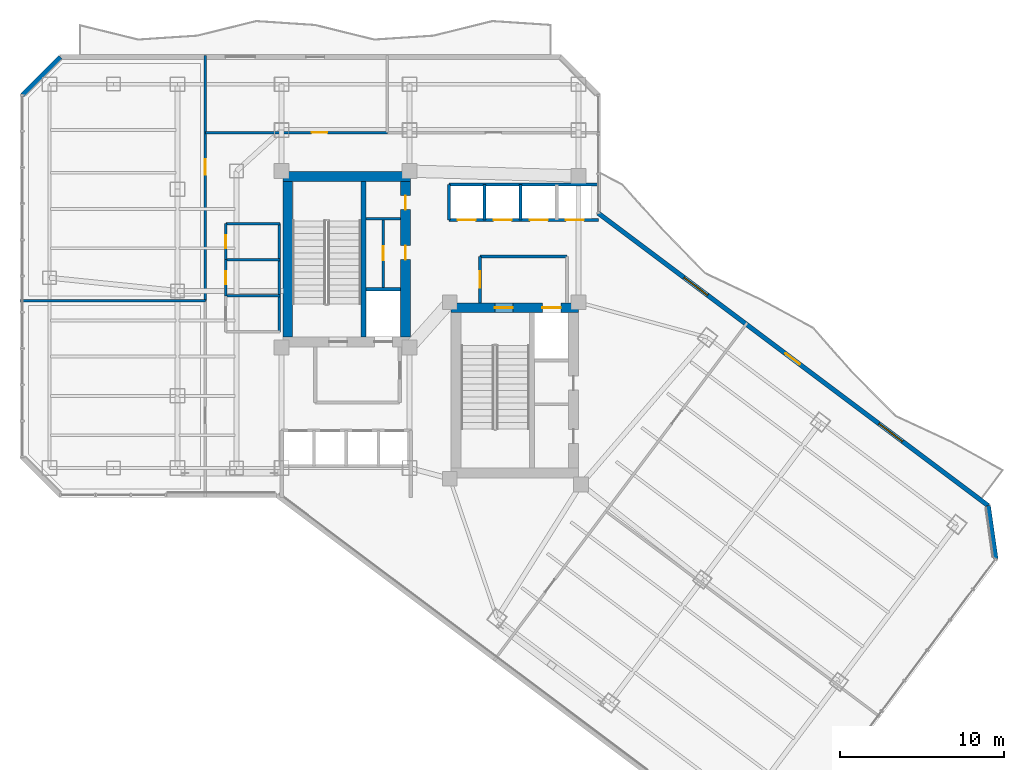
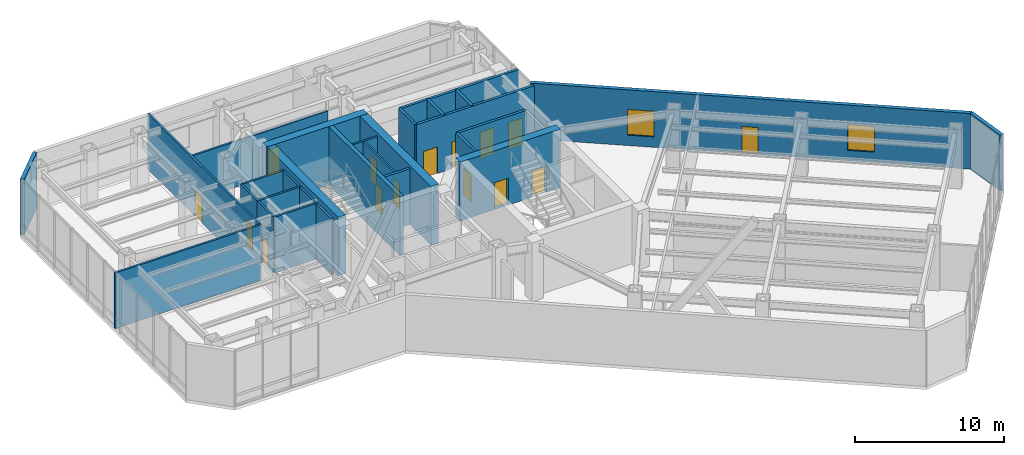
# One storey, part 21 of 27: 27 walls, 15 doors, 2 windows, 17 openings.
"""IFC4 building model written with IfcOpenShell, lengths in metres."""

from ifc_helpers import new_model, si_unit, direction, frame, frame_2d, origin, place, context, subcontext, project, spatial, rectangle, extrude, material, layer, layer_set, type_object, element, fill, save


model = new_model("IFC4")

# Units and contexts
model_context = context("Model", 3, precision=1e-05, world=origin(), true_north=direction((0.0, 1.0)))
body_context = subcontext(model_context, "Body", "Model", "MODEL_VIEW")
ifc_project = project(units=[si_unit("LENGTHUNIT", "METRE"), si_unit("AREAUNIT", "SQUARE_METRE"), si_unit("VOLUMEUNIT", "CUBIC_METRE"), si_unit("PLANEANGLEUNIT", "RADIAN"), si_unit("MASSUNIT", "GRAM", prefix="KILO")], contexts=[model_context])

# Site, building, storey
site_placement = place(None, origin())
site = spatial("IfcSite", under=ifc_project, at=site_placement, CompositionType="ELEMENT")
building_placement = place(site_placement, origin())
building = spatial("IfcBuilding", under=site, at=building_placement, Name="Hatsunagi Terrace Concourse", CompositionType="ELEMENT")
storey_placement = place(building_placement, frame((0.0, 0.0, 96.449951171875)))
storey = spatial("IfcBuildingStorey", under=building, at=storey_placement, Name="L25", CompositionType="ELEMENT", Elevation=96.449951171875)

# Walls
ifc_material_1 = material(Name="Concrete Fc48", Category="concrete")
ifc_layer_1 = layer(ifc_material_1, 0.60009765625)
ifc_layer_set_1 = layer_set([ifc_layer_1], Name="CoreShearWall_Fc48_600")
wall_type_1 = type_object("IfcWallType", Name="CoreShearWall_Fc48_600", PredefinedType="SHEAR", material=ifc_layer_set_1)
wall_1_placement = place(storey_placement, frame((25.6201171875, 42.969970703125, 0.0), z_axis=(0.0, 0.0, 1.0), x_axis=(1.0, 0.0, 0.0)))
element("IfcWall", 1, at=wall_1_placement, inside=storey, type_object=wall_type_1, Name="Core A Shear Wall N L25", PredefinedType="SHEAR", context=body_context, shape_type="SweptSolid", body=[
    extrude(rectangle(XDim=7.77978515625, YDim=0.60009765625, at=frame_2d((3.889892578125, 0.0))), origin(), (0.0, 0.0, 1.0), 4.800048828125),
])
wall_2_placement = place(storey_placement, frame((25.919921875, 33.18994140625, 0.0), z_axis=(0.0, 0.0, 1.0), x_axis=(0.0, 1.0, 0.0)))
element("IfcWall", 2, at=wall_2_placement, inside=storey, type_object=wall_type_1, Name="Core A Shear Wall W L25", PredefinedType="SHEAR", context=body_context, shape_type="SweptSolid", body=[
    extrude(rectangle(XDim=9.47998046875, YDim=0.60009765625, at=frame_2d((4.739990234375, 0.0))), origin(), (0.0, 0.0, 1.0), 4.800048828125),
])

# Wall, openings, doors
wall_3_placement = place(storey_placement, frame((33.10009765625, 33.18994140625, 0.0), z_axis=(0.0, 0.0, 1.0), x_axis=(0.0, 1.0, 0.0)))
wall_3 = element("IfcWall", 3, at=wall_3_placement, inside=storey, type_object=wall_type_1, Name="Core A Shear Wall E L25", PredefinedType="SHEAR", context=body_context, shape_type="SweptSolid", body=[
    extrude(rectangle(XDim=9.47998046875, YDim=0.60009765625, at=frame_2d((4.739990234375, 0.0))), origin(), (0.0, 0.0, 1.0), 4.800048828125),
])
opening_1_placement = place(wall_3_placement, frame((4.7099609375, 0.0, 0.0)))
opening_1 = element("IfcOpeningElement", 4, at=opening_1_placement, cuts=wall_3, Name="Opening DR-085", PredefinedType="OPENING", context=body_context, shape_type="SweptSolid", body=[
    extrude(rectangle(XDim=0.85009765625, YDim=2.080078125, at=frame_2d((0.425048828125, 1.0400390625))), frame((0.0, 0.31005859375, 0.0), z_axis=(0.0, -1.0, 0.0), x_axis=(1.0, 0.0, 0.0)), (0.0, 0.0, 1.0), 0.6201171875),
])
opening_2_placement = place(wall_3_placement, frame((7.760009765625, 0.0, 0.0)))
opening_2 = element("IfcOpeningElement", 5, at=opening_2_placement, cuts=wall_3, Name="Opening DR-085", PredefinedType="OPENING", context=body_context, shape_type="SweptSolid", body=[
    extrude(rectangle(XDim=0.85009765625, YDim=2.080078125, at=frame_2d((0.425048828125, 1.0400390625))), frame((0.0, 0.31005859375, 0.0), z_axis=(0.0, -1.0, 0.0), x_axis=(1.0, 0.0, 0.0)), (0.0, 0.0, 1.0), 0.6201171875),
])
ifc_material_2 = material(Name="Painted steel", Category="steel")
door_type_1 = type_object("IfcDoorType", Name="RiserAccessDoor_EI60_850", OperationType="NOTDEFINED", PredefinedType="DOOR", material=ifc_material_2)
door_1_placement = place(opening_1_placement, origin())
door_1 = element("IfcDoor", 6, at=door_1_placement, inside=storey, type_object=door_type_1, Name="Core A Riser Door L25-1", OperationType="SINGLE_SWING_LEFT", OverallHeight=2.080078125, OverallWidth=0.85009765625, PredefinedType="DOOR", context=body_context, shape_type="SweptSolid", body=[
    extrude(rectangle(XDim=0.85009765625, YDim=2.080078125, at=frame_2d((0.425048828125, 1.0400390625))), frame((0.0, 0.02490234375, 0.0), z_axis=(0.0, -1.0, 0.0), x_axis=(1.0, 0.0, 0.0)), (0.0, 0.0, 1.0), 0.050048828125),
])
fill(opening_1, door_1)
door_2_placement = place(opening_2_placement, origin())
door_2 = element("IfcDoor", 7, at=door_2_placement, inside=storey, type_object=door_type_1, Name="Core A Riser Door L25-2", OperationType="SINGLE_SWING_LEFT", OverallHeight=2.080078125, OverallWidth=0.85009765625, PredefinedType="DOOR", context=body_context, shape_type="SweptSolid", body=[
    extrude(rectangle(XDim=0.85009765625, YDim=2.080078125, at=frame_2d((0.425048828125, 1.0400390625))), frame((0.0, 0.02490234375, 0.0), z_axis=(0.0, -1.0, 0.0), x_axis=(1.0, 0.0, 0.0)), (0.0, 0.0, 1.0), 0.050048828125),
])
fill(opening_2, door_2)

wall_4_placement = place(storey_placement, frame((35.889892578125, 34.969970703125, 0.0), z_axis=(0.0, 0.0, 1.0), x_axis=(1.0, 0.0, 0.0)))
wall_4 = element("IfcWall", 8, at=wall_4_placement, inside=storey, type_object=wall_type_1, Name="Core B Shear Wall N L25", PredefinedType="SHEAR", context=body_context, shape_type="SweptSolid", body=[
    extrude(rectangle(XDim=7.760009765625, YDim=0.60009765625, at=frame_2d((3.8798828125, 0.0))), origin(), (0.0, 0.0, 1.0), 4.800048828125),
])
opening_3_placement = place(wall_4_placement, frame((2.659912109375, 0.0, 0.0)))
opening_3 = element("IfcOpeningElement", 9, at=opening_3_placement, cuts=wall_4, Name="Opening DR-110S", PredefinedType="OPENING", context=body_context, shape_type="SweptSolid", body=[
    extrude(rectangle(XDim=1.10009765625, YDim=2.199951171875, at=frame_2d((0.550048828125, 1.10009765625))), frame((0.0, 0.31005859375, 0.0), z_axis=(0.0, -1.0, 0.0), x_axis=(1.0, 0.0, 0.0)), (0.0, 0.0, 1.0), 0.6201171875),
])
opening_4_placement = place(wall_4_placement, frame((5.56005859375, 0.0, 0.0)))
opening_4 = element("IfcOpeningElement", 10, at=opening_4_placement, cuts=wall_4, Name="Opening LD-02", PredefinedType="OPENING", context=body_context, shape_type="SweptSolid", body=[
    extrude(rectangle(XDim=1.1201171875, YDim=2.14990234375, at=frame_2d((0.56005859375, 1.074951171875))), frame((0.0, 0.31005859375, 0.0), z_axis=(0.0, -1.0, 0.0), x_axis=(1.0, 0.0, 0.0)), (0.0, 0.0, 1.0), 0.6201171875),
])
ifc_material_3 = material(Name="Stainless steel", Category="steel")
door_type_2 = type_object("IfcDoorType", Name="LiftLandingDoor_LD02", OperationType="SLIDING_TO_RIGHT", PredefinedType="USERDEFINED", material=ifc_material_3)
door_3_placement = place(opening_4_placement, origin())
door_3 = element("IfcDoor", 11, at=door_3_placement, inside=storey, type_object=door_type_2, Name="Lift landing door FF-02 L25", ObjectType="SLIDING_LANDING_DOOR", OperationType="SLIDING_TO_RIGHT", OverallHeight=2.14990234375, OverallWidth=1.1201171875, PredefinedType="USERDEFINED", context=body_context, shape_type="SweptSolid", body=[
    extrude(rectangle(XDim=1.1201171875, YDim=2.14990234375, at=frame_2d((0.56005859375, 1.074951171875))), frame((0.0, 0.02490234375, 0.0), z_axis=(0.0, -1.0, 0.0), x_axis=(1.0, 0.0, 0.0)), (0.0, 0.0, 1.0), 0.050048828125),
])
fill(opening_4, door_3)
ifc_material_4 = material(Name="Painted steel", Category="steel")
door_type_3 = type_object("IfcDoorType", Name="StairFireDoor_EI60_1100", OperationType="NOTDEFINED", PredefinedType="DOOR", material=ifc_material_4)
door_4_placement = place(opening_3_placement, origin())
door_4 = element("IfcDoor", 12, at=door_4_placement, inside=storey, type_object=door_type_3, Name="Stair ST-B Exit Door L25", OperationType="SINGLE_SWING_RIGHT", OverallHeight=2.199951171875, OverallWidth=1.10009765625, PredefinedType="DOOR", context=body_context, shape_type="SweptSolid", body=[
    extrude(rectangle(XDim=1.10009765625, YDim=2.199951171875, at=frame_2d((0.550048828125, 1.10009765625))), frame((0.0, 0.02490234375, 0.0), z_axis=(0.0, -1.0, 0.0), x_axis=(1.0, 0.0, 0.0)), (0.0, 0.0, 1.0), 0.050048828125),
])
fill(opening_3, door_4)

# Wall
ifc_material_5 = material(Name="Concrete Fc48", Category="concrete")
ifc_layer_2 = layer(ifc_material_5, 0.300048828125)
ifc_layer_set_2 = layer_set([ifc_layer_2], Name="CoreStairDivider_Fc48_300")
wall_type_2 = type_object("IfcWallType", Name="CoreStairDivider_Fc48_300", PredefinedType="SHEAR", material=ifc_layer_set_2)
wall_5_placement = place(storey_placement, frame((30.5400390625, 33.18994140625, 0.0), z_axis=(0.0, 0.0, 1.0), x_axis=(0.0, 1.0, 0.0)))
element("IfcWall", 13, at=wall_5_placement, inside=storey, type_object=wall_type_2, Name="Core A Shear Wall D L25", PredefinedType="SHEAR", context=body_context, shape_type="SweptSolid", body=[
    extrude(rectangle(XDim=9.47998046875, YDim=0.300048828125, at=frame_2d((4.739990234375, 0.0))), origin(), (0.0, 0.0, 1.0), 4.800048828125),
])

# Wall, opening, door
ifc_material_6 = material(Name="Acoustic mineral board", Category="gypsum")
ifc_layer_3 = layer(ifc_material_6, 0.14990234375)
ifc_layer_set_3 = layer_set([ifc_layer_3], Name="PartitionWall_EI60_150")
wall_type_3 = type_object("IfcWallType", Name="PartitionWall_EI60_150", PredefinedType="PARTITIONING", material=ifc_layer_set_3)
wall_6_placement = place(storey_placement, frame((31.75, 36.179931640625, 0.0), z_axis=(0.0, 0.0, 1.0), x_axis=(0.0, 1.0, 0.0)))
wall_6 = element("IfcWall", 14, at=wall_6_placement, inside=storey, type_object=wall_type_3, Name="Interior Partition IW-L25-002", PredefinedType="PARTITIONING", context=body_context, shape_type="SweptSolid", body=[
    extrude(rectangle(XDim=4.239990234375, YDim=0.14990234375, at=frame_2d((2.1201171875, 0.0))), origin(), (0.0, 0.0, 1.0), 4.550048828125),
])
opening_5_placement = place(wall_6_placement, frame((1.695068359375, 0.0, 0.0)))
opening_5 = element("IfcOpeningElement", 15, at=opening_5_placement, cuts=wall_6, Name="Opening DR-085", PredefinedType="OPENING", context=body_context, shape_type="SweptSolid", body=[
    extrude(rectangle(XDim=0.85009765625, YDim=2.080078125, at=frame_2d((0.425048828125, 1.0400390625))), frame((0.0, 0.0849609375, 0.0), z_axis=(0.0, -1.0, 0.0), x_axis=(1.0, 0.0, 0.0)), (0.0, 0.0, 1.0), 0.169921875),
])
door_5_placement = place(opening_5_placement, origin())
door_5 = element("IfcDoor", 16, at=door_5_placement, inside=storey, type_object=door_type_1, Name="Core A Sub-Riser Door L25", OperationType="SINGLE_SWING_LEFT", OverallHeight=2.080078125, OverallWidth=0.85009765625, PredefinedType="DOOR", context=body_context, shape_type="SweptSolid", body=[
    extrude(rectangle(XDim=0.85009765625, YDim=2.080078125, at=frame_2d((0.425048828125, 1.0400390625))), frame((0.0, 0.02490234375, 0.0), z_axis=(0.0, -1.0, 0.0), x_axis=(1.0, 0.0, 0.0)), (0.0, 0.0, 1.0), 0.050048828125),
])
fill(opening_5, door_5)

# Walls
wall_7_placement = place(storey_placement, frame((30.699951171875, 40.39990234375, 0.0), z_axis=(0.0, 0.0, 1.0), x_axis=(1.0, 0.0, 0.0)))
element("IfcWall", 17, at=wall_7_placement, inside=storey, type_object=wall_type_3, Name="Interior Partition IW-L25-003", PredefinedType="PARTITIONING", context=body_context, shape_type="SweptSolid", body=[
    extrude(rectangle(XDim=2.10009765625, YDim=0.14990234375, at=frame_2d((1.050048828125, 0.0))), origin(), (0.0, 0.0, 1.0), 4.550048828125),
])
wall_8_placement = place(storey_placement, frame((22.14990234375, 40.10009765625, 0.0), z_axis=(0.0, 0.0, 1.0), x_axis=(1.0, 0.0, 0.0)))
element("IfcWall", 18, at=wall_8_placement, inside=storey, type_object=wall_type_3, Name="Interior Partition IW-L25-026", PredefinedType="PARTITIONING", context=body_context, shape_type="SweptSolid", body=[
    extrude(rectangle(XDim=3.300048828125, YDim=0.14990234375, at=frame_2d((1.64990234375, 0.0))), origin(), (0.0, 0.0, 1.0), 4.550048828125),
])
wall_9_placement = place(storey_placement, frame((25.39990234375, 33.5, 0.0), z_axis=(0.0, 0.0, 1.0), x_axis=(0.0, 1.0, 0.0)))
element("IfcWall", 19, at=wall_9_placement, inside=storey, type_object=wall_type_3, Name="Interior Partition IW-L25-027", PredefinedType="PARTITIONING", context=body_context, shape_type="SweptSolid", body=[
    extrude(rectangle(XDim=6.60009765625, YDim=0.14990234375, at=frame_2d((3.300048828125, 0.0))), origin(), (0.0, 0.0, 1.0), 4.550048828125),
])
for number, where, z_axis, x_axis, name in (
    (20, (22.14990234375, 35.699951171875, 0.0), (0.0, 0.0, 1.0), (1.0, 0.0, 0.0), "Interior Partition IW-L25-028"),
    (21, (22.14990234375, 37.89990234375, 0.0), (0.0, 0.0, 1.0), (1.0, 0.0, 0.0), "Interior Partition IW-L25-029"),
):
    element("IfcWall", number, at=place(storey_placement, frame(where, z_axis=z_axis, x_axis=x_axis)), inside=storey, type_object=wall_type_3, Name=name, PredefinedType="PARTITIONING", context=body_context, shape_type="SweptSolid", body=[
        extrude(rectangle(XDim=3.300048828125, YDim=0.14990234375, at=frame_2d((1.64990234375, 0.0))), origin(), (0.0, 0.0, 1.0), 4.550048828125),
    ])

# Wall, opening, door
wall_10_placement = place(storey_placement, frame((22.14990234375, 35.699951171875, 0.0), z_axis=(0.0, 0.0, 1.0), x_axis=(0.0, 1.0, 0.0)))
wall_10 = element("IfcWall", 22, at=wall_10_placement, inside=storey, type_object=wall_type_3, Name="Interior Partition IW-L25-031", PredefinedType="PARTITIONING", context=body_context, shape_type="SweptSolid", body=[
    extrude(rectangle(XDim=2.199951171875, YDim=0.14990234375, at=frame_2d((1.10009765625, 0.0))), origin(), (0.0, 0.0, 1.0), 4.550048828125),
])
opening_6_placement = place(wall_10_placement, frame((0.699951171875, 0.0, 0.0)))
opening_6 = element("IfcOpeningElement", 23, at=opening_6_placement, cuts=wall_10, Name="Opening DR-080", PredefinedType="OPENING", context=body_context, shape_type="SweptSolid", body=[
    extrude(rectangle(XDim=0.800048828125, YDim=2.06005859375, at=frame_2d((0.39990234375, 1.030029296875))), frame((0.0, 0.0849609375, 0.0), z_axis=(0.0, -1.0, 0.0), x_axis=(1.0, 0.0, 0.0)), (0.0, 0.0, 1.0), 0.169921875),
])
ifc_material_7 = material(Name="Hardwood timber", Category="wood")
door_type_4 = type_object("IfcDoorType", Name="BathroomDoor_800", OperationType="NOTDEFINED", PredefinedType="DOOR", material=ifc_material_7)
door_6_placement = place(opening_6_placement, origin())
door_6 = element("IfcDoor", 24, at=door_6_placement, inside=storey, type_object=door_type_4, Name="Female Restroom Door L25", OperationType="SINGLE_SWING_RIGHT", OverallHeight=2.06005859375, OverallWidth=0.800048828125, PredefinedType="DOOR", context=body_context, shape_type="SweptSolid", body=[
    extrude(rectangle(XDim=0.800048828125, YDim=2.06005859375, at=frame_2d((0.39990234375, 1.030029296875))), frame((0.0, 0.02490234375, 0.0), z_axis=(0.0, -1.0, 0.0), x_axis=(1.0, 0.0, 0.0)), (0.0, 0.0, 1.0), 0.050048828125),
])
fill(opening_6, door_6)

wall_11_placement = place(storey_placement, frame((22.14990234375, 37.89990234375, 0.0), z_axis=(0.0, 0.0, 1.0), x_axis=(0.0, 1.0, 0.0)))
wall_11 = element("IfcWall", 25, at=wall_11_placement, inside=storey, type_object=wall_type_3, Name="Interior Partition IW-L25-032", PredefinedType="PARTITIONING", context=body_context, shape_type="SweptSolid", body=[
    extrude(rectangle(XDim=2.2001953125, YDim=0.14990234375, at=frame_2d((1.10009765625, 0.0))), origin(), (0.0, 0.0, 1.0), 4.550048828125),
])
opening_7_placement = place(wall_11_placement, frame((0.699951171875, 0.0, 0.0)))
opening_7 = element("IfcOpeningElement", 26, at=opening_7_placement, cuts=wall_11, Name="Opening DR-080", PredefinedType="OPENING", context=body_context, shape_type="SweptSolid", body=[
    extrude(rectangle(XDim=0.800048828125, YDim=2.06005859375, at=frame_2d((0.39990234375, 1.030029296875))), frame((0.0, 0.0849609375, 0.0), z_axis=(0.0, -1.0, 0.0), x_axis=(1.0, 0.0, 0.0)), (0.0, 0.0, 1.0), 0.169921875),
])
door_7_placement = place(opening_7_placement, origin())
door_7 = element("IfcDoor", 27, at=door_7_placement, inside=storey, type_object=door_type_4, Name="Male Restroom Door L25", OperationType="SINGLE_SWING_RIGHT", OverallHeight=2.06005859375, OverallWidth=0.800048828125, PredefinedType="DOOR", context=body_context, shape_type="SweptSolid", body=[
    extrude(rectangle(XDim=0.800048828125, YDim=2.06005859375, at=frame_2d((0.39990234375, 1.030029296875))), frame((0.0, 0.02490234375, 0.0), z_axis=(0.0, -1.0, 0.0), x_axis=(1.0, 0.0, 0.0)), (0.0, 0.0, 1.0), 0.050048828125),
])
fill(opening_7, door_7)

# Wall
wall_12_placement = place(storey_placement, frame((9.639892578125, 35.39990234375, 0.0), z_axis=(0.0, 0.0, 1.0), x_axis=(1.0, 0.0, 0.0)))
element("IfcWall", 28, at=wall_12_placement, inside=storey, type_object=wall_type_3, Name="Interior Partition IW-L25-033", PredefinedType="PARTITIONING", context=body_context, shape_type="SweptSolid", body=[
    extrude(rectangle(XDim=11.260009765625, YDim=0.14990234375, at=frame_2d((5.6298828125, 0.0))), origin(), (0.0, 0.0, 1.0), 4.550048828125),
])

# Wall, opening, door
wall_13_placement = place(storey_placement, frame((20.89990234375, 35.39990234375, 0.0), z_axis=(0.0, 0.0, 1.0), x_axis=(0.0, 1.0, 0.0)))
wall_13 = element("IfcWall", 29, at=wall_13_placement, inside=storey, type_object=wall_type_3, Name="Interior Partition IW-L25-035", PredefinedType="PARTITIONING", context=body_context, shape_type="SweptSolid", body=[
    extrude(rectangle(XDim=14.960205078125, YDim=0.14990234375, at=frame_2d((7.47998046875, 0.0))), origin(), (0.0, 0.0, 1.0), 4.550048828125),
])
opening_8_placement = place(wall_13_placement, frame((7.6669921875, 0.0, 0.0)))
opening_8 = element("IfcOpeningElement", 30, at=opening_8_placement, cuts=wall_13, Name="Opening DR-095", PredefinedType="OPENING", context=body_context, shape_type="SweptSolid", body=[
    extrude(rectangle(XDim=0.949951171875, YDim=2.14990234375, at=frame_2d((0.47509765625, 1.074951171875))), frame((0.0, 0.0849609375, 0.0), z_axis=(0.0, -1.0, 0.0), x_axis=(1.0, 0.0, 0.0)), (0.0, 0.0, 1.0), 0.169921875),
])
ifc_material_8 = material(Name="Hardwood timber", Category="wood")
door_type_5 = type_object("IfcDoorType", Name="InteriorSuiteDoor_EI30_950", OperationType="NOTDEFINED", PredefinedType="DOOR", material=ifc_material_8)
door_8_placement = place(opening_8_placement, origin())
door_8 = element("IfcDoor", 31, at=door_8_placement, inside=storey, type_object=door_type_5, Name="Open Plan Office L25-OW2 Door", OperationType="SINGLE_SWING_LEFT", OverallHeight=2.14990234375, OverallWidth=0.949951171875, PredefinedType="DOOR", context=body_context, shape_type="SweptSolid", body=[
    extrude(rectangle(XDim=0.949951171875, YDim=2.14990234375, at=frame_2d((0.47509765625, 1.074951171875))), frame((0.0, 0.02490234375, 0.0), z_axis=(0.0, -1.0, 0.0), x_axis=(1.0, 0.0, 0.0)), (0.0, 0.0, 1.0), 0.050048828125),
])
fill(opening_8, door_8)

wall_14_placement = place(storey_placement, frame((20.89990234375, 45.64990234375, 0.0), z_axis=(0.0, 0.0, 1.0), x_axis=(1.0, 0.0, 0.0)))
wall_14 = element("IfcWall", 32, at=wall_14_placement, inside=storey, type_object=wall_type_3, Name="Interior Partition IW-L25-036", PredefinedType="PARTITIONING", context=body_context, shape_type="SweptSolid", body=[
    extrude(rectangle(XDim=11.10009765625, YDim=0.14990234375, at=frame_2d((5.550048828125, 0.0))), origin(), (0.0, 0.0, 1.0), 3.7451171875),
])
opening_9_placement = place(wall_14_placement, frame((6.48388671875, 0.0, 0.0)))
opening_9 = element("IfcOpeningElement", 33, at=opening_9_placement, cuts=wall_14, Name="Opening DR-095", PredefinedType="OPENING", context=body_context, shape_type="SweptSolid", body=[
    extrude(rectangle(XDim=0.949951171875, YDim=2.14990234375, at=frame_2d((0.47509765625, 1.074951171875))), frame((0.0, 0.0849609375, 0.0), z_axis=(0.0, -1.0, 0.0), x_axis=(1.0, 0.0, 0.0)), (0.0, 0.0, 1.0), 0.169921875),
])
door_9_placement = place(opening_9_placement, origin())
door_9 = element("IfcDoor", 34, at=door_9_placement, inside=storey, type_object=door_type_5, Name="Boardroom L25-ON1 Door", OperationType="SINGLE_SWING_RIGHT", OverallHeight=2.14990234375, OverallWidth=0.949951171875, PredefinedType="DOOR", context=body_context, shape_type="SweptSolid", body=[
    extrude(rectangle(XDim=0.949951171875, YDim=2.14990234375, at=frame_2d((0.47509765625, 1.074951171875))), frame((0.0, 0.02490234375, 0.0), z_axis=(0.0, -1.0, 0.0), x_axis=(1.0, 0.0, 0.0)), (0.0, 0.0, 1.0), 0.050048828125),
])
fill(opening_9, door_9)

# Walls
ifc_material_9 = material(Name="Acoustic mineral board", Category="gypsum")
ifc_layer_4 = layer(ifc_material_9, 0.199951171875)
ifc_layer_set_4 = layer_set([ifc_layer_4], Name="ShaftWall_EI120_200")
wall_type_4 = type_object("IfcWallType", Name="ShaftWall_EI120_200", PredefinedType="STANDARD", material=ifc_layer_set_4)
wall_15_placement = place(storey_placement, frame((30.699951171875, 36.10009765625, 0.0), z_axis=(0.0, 0.0, 1.0), x_axis=(1.0, 0.0, 0.0)))
element("IfcWall", 35, at=wall_15_placement, inside=storey, type_object=wall_type_4, Name="Interior Partition IW-L25-001", PredefinedType="STANDARD", context=body_context, shape_type="SweptSolid", body=[
    extrude(rectangle(XDim=2.10009765625, YDim=0.199951171875, at=frame_2d((1.050048828125, 0.0))), origin(), (0.0, 0.0, 1.0), 4.550048828125),
])
wall_16_placement = place(storey_placement, frame((37.64990234375, 38.10009765625, 0.0), z_axis=(0.0, 0.0, 1.0), x_axis=(1.0, 0.0, 0.0)))
element("IfcWall", 36, at=wall_16_placement, inside=storey, type_object=wall_type_4, Name="Interior Partition IW-L25-009", PredefinedType="STANDARD", context=body_context, shape_type="SweptSolid", body=[
    extrude(rectangle(XDim=5.300048828125, YDim=0.199951171875, at=frame_2d((2.64990234375, 0.0))), origin(), (0.0, 0.0, 1.0), 4.550048828125),
])

# Wall, opening, door
wall_17_placement = place(storey_placement, frame((37.64990234375, 35.27001953125, 0.0), z_axis=(0.0, 0.0, 1.0), x_axis=(0.0, 1.0, 0.0)))
wall_17 = element("IfcWall", 37, at=wall_17_placement, inside=storey, type_object=wall_type_4, Name="Interior Partition IW-L25-011", PredefinedType="STANDARD", context=body_context, shape_type="SweptSolid", body=[
    extrude(rectangle(XDim=2.830078125, YDim=0.199951171875, at=frame_2d((1.4150390625, 0.0))), origin(), (0.0, 0.0, 1.0), 4.550048828125),
])
opening_10_placement = place(wall_17_placement, frame((0.9150390625, 0.0, 0.0)))
opening_10 = element("IfcOpeningElement", 38, at=opening_10_placement, cuts=wall_17, Name="Opening DR-100F", PredefinedType="OPENING", context=body_context, shape_type="SweptSolid", body=[
    extrude(rectangle(XDim=1.0, YDim=2.199951171875, at=frame_2d((0.5, 1.10009765625))), frame((0.0, 0.10986328125, 0.0), z_axis=(0.0, -1.0, 0.0), x_axis=(1.0, 0.0, 0.0)), (0.0, 0.0, 1.0), 0.219970703125),
])
ifc_material_10 = material(Name="Painted steel", Category="steel")
door_type_6 = type_object("IfcDoorType", Name="FireDoor_EI60_1000", OperationType="NOTDEFINED", PredefinedType="DOOR", material=ifc_material_10)
door_10_placement = place(opening_10_placement, origin())
door_10 = element("IfcDoor", 39, at=door_10_placement, inside=storey, type_object=door_type_6, Name="Firefighting Lobby B Door L25", OperationType="SINGLE_SWING_RIGHT", OverallHeight=2.199951171875, OverallWidth=1.0, PredefinedType="DOOR", context=body_context, shape_type="SweptSolid", body=[
    extrude(rectangle(XDim=1.0, YDim=2.199951171875, at=frame_2d((0.5, 1.10009765625))), frame((0.0, 0.02490234375, 0.0), z_axis=(0.0, -1.0, 0.0), x_axis=(1.0, 0.0, 0.0)), (0.0, 0.0, 1.0), 0.050048828125),
])
fill(opening_10, door_10)

# Walls
wall_18_placement = place(storey_placement, frame((35.75, 42.47998046875, 0.0), z_axis=(0.0, 0.0, 1.0), x_axis=(1.0, 0.0, 0.0)))
element("IfcWall", 40, at=wall_18_placement, inside=storey, type_object=wall_type_4, Name="Interior Partition IW-L25-019", PredefinedType="STANDARD", context=body_context, shape_type="SweptSolid", body=[
    extrude(rectangle(XDim=9.110107421875, YDim=0.199951171875, at=frame_2d((4.55517578125, 0.0))), origin(), (0.0, 0.0, 1.0), 4.550048828125),
])
for number, where, z_axis, x_axis, name in (
    (41, (35.75, 40.320068359375, 0.0), (0.0, 0.0, 1.0), (0.0, 1.0, 0.0), "Interior Partition IW-L25-020"),
    (42, (37.919921875, 40.320068359375, 0.0), (0.0, 0.0, 1.0), (0.0, 1.0, 0.0), "Interior Partition IW-L25-021"),
    (43, (40.1201171875, 40.320068359375, 0.0), (0.0, 0.0, 1.0), (0.0, 1.0, 0.0), "Interior Partition IW-L25-022"),
):
    element("IfcWall", number, at=place(storey_placement, frame(where, z_axis=z_axis, x_axis=x_axis)), inside=storey, type_object=wall_type_4, Name=name, PredefinedType="STANDARD", context=body_context, shape_type="SweptSolid", body=[
        extrude(rectangle(XDim=2.159912109375, YDim=0.199951171875, at=frame_2d((1.080078125, 0.0))), origin(), (0.0, 0.0, 1.0), 4.550048828125),
    ])

# Wall, openings, doors
wall_19_placement = place(storey_placement, frame((35.75, 40.320068359375, 0.0), z_axis=(0.0, 0.0, 1.0), x_axis=(1.0, 0.0, 0.0)))
wall_19 = element("IfcWall", 44, at=wall_19_placement, inside=storey, type_object=wall_type_4, Name="Interior Partition IW-L25-024", PredefinedType="STANDARD", context=body_context, shape_type="SweptSolid", body=[
    extrude(rectangle(XDim=9.110107421875, YDim=0.199951171875, at=frame_2d((4.55517578125, 0.0))), origin(), (0.0, 0.0, 1.0), 4.550048828125),
])
opening_11_placement = place(wall_19_placement, frame((0.530029296875, 0.0, 0.0)))
opening_11 = element("IfcOpeningElement", 45, at=opening_11_placement, cuts=wall_19, Name="Opening LD-04", PredefinedType="OPENING", context=body_context, shape_type="SweptSolid", body=[
    extrude(rectangle(XDim=1.10009765625, YDim=2.179931640625, at=frame_2d((0.550048828125, 1.08984375))), frame((0.0, 0.10986328125, 0.0), z_axis=(0.0, -1.0, 0.0), x_axis=(1.0, 0.0, 0.0)), (0.0, 0.0, 1.0), 0.219970703125),
])
opening_12_placement = place(wall_19_placement, frame((2.72998046875, 0.0, 0.0)))
opening_12 = element("IfcOpeningElement", 46, at=opening_12_placement, cuts=wall_19, Name="Opening LD-04", PredefinedType="OPENING", context=body_context, shape_type="SweptSolid", body=[
    extrude(rectangle(XDim=1.10009765625, YDim=2.179931640625, at=frame_2d((0.550048828125, 1.08984375))), frame((0.0, 0.10986328125, 0.0), z_axis=(0.0, -1.0, 0.0), x_axis=(1.0, 0.0, 0.0)), (0.0, 0.0, 1.0), 0.219970703125),
])
opening_13_placement = place(wall_19_placement, frame((4.929931640625, 0.0, 0.0)))
opening_13 = element("IfcOpeningElement", 47, at=opening_13_placement, cuts=wall_19, Name="Opening LD-04", PredefinedType="OPENING", context=body_context, shape_type="SweptSolid", body=[
    extrude(rectangle(XDim=1.10009765625, YDim=2.179931640625, at=frame_2d((0.550048828125, 1.08984375))), frame((0.0, 0.10986328125, 0.0), z_axis=(0.0, -1.0, 0.0), x_axis=(1.0, 0.0, 0.0)), (0.0, 0.0, 1.0), 0.219970703125),
])
opening_14_placement = place(wall_19_placement, frame((7.1298828125, 0.0, 0.0)))
opening_14 = element("IfcOpeningElement", 48, at=opening_14_placement, cuts=wall_19, Name="Opening LD-04", PredefinedType="OPENING", context=body_context, shape_type="SweptSolid", body=[
    extrude(rectangle(XDim=1.10009765625, YDim=2.179931640625, at=frame_2d((0.550048828125, 1.08984375))), frame((0.0, 0.10986328125, 0.0), z_axis=(0.0, -1.0, 0.0), x_axis=(1.0, 0.0, 0.0)), (0.0, 0.0, 1.0), 0.219970703125),
])
ifc_material_11 = material(Name="Stainless steel", Category="steel")
door_type_7 = type_object("IfcDoorType", Name="LiftLandingDoor_LD04", OperationType="SLIDING_TO_RIGHT", PredefinedType="USERDEFINED", material=ifc_material_11)
door_11_placement = place(opening_11_placement, origin())
door_11 = element("IfcDoor", 49, at=door_11_placement, inside=storey, type_object=door_type_7, Name="Lift landing door PL-05 L25", ObjectType="SLIDING_LANDING_DOOR", OperationType="SLIDING_TO_RIGHT", OverallHeight=2.179931640625, OverallWidth=1.10009765625, PredefinedType="USERDEFINED", context=body_context, shape_type="SweptSolid", body=[
    extrude(rectangle(XDim=1.10009765625, YDim=2.179931640625, at=frame_2d((0.550048828125, 1.08984375))), frame((0.0, 0.02490234375, 0.0), z_axis=(0.0, -1.0, 0.0), x_axis=(1.0, 0.0, 0.0)), (0.0, 0.0, 1.0), 0.050048828125),
])
fill(opening_11, door_11)
door_12_placement = place(opening_12_placement, origin())
door_12 = element("IfcDoor", 50, at=door_12_placement, inside=storey, type_object=door_type_7, Name="Lift landing door PL-06 L25", ObjectType="SLIDING_LANDING_DOOR", OperationType="SLIDING_TO_RIGHT", OverallHeight=2.179931640625, OverallWidth=1.10009765625, PredefinedType="USERDEFINED", context=body_context, shape_type="SweptSolid", body=[
    extrude(rectangle(XDim=1.10009765625, YDim=2.179931640625, at=frame_2d((0.550048828125, 1.08984375))), frame((0.0, 0.02490234375, 0.0), z_axis=(0.0, -1.0, 0.0), x_axis=(1.0, 0.0, 0.0)), (0.0, 0.0, 1.0), 0.050048828125),
])
fill(opening_12, door_12)
door_13_placement = place(opening_13_placement, origin())
door_13 = element("IfcDoor", 51, at=door_13_placement, inside=storey, type_object=door_type_7, Name="Lift landing door PL-07 L25", ObjectType="SLIDING_LANDING_DOOR", OperationType="SLIDING_TO_RIGHT", OverallHeight=2.179931640625, OverallWidth=1.10009765625, PredefinedType="USERDEFINED", context=body_context, shape_type="SweptSolid", body=[
    extrude(rectangle(XDim=1.10009765625, YDim=2.179931640625, at=frame_2d((0.550048828125, 1.08984375))), frame((0.0, 0.02490234375, 0.0), z_axis=(0.0, -1.0, 0.0), x_axis=(1.0, 0.0, 0.0)), (0.0, 0.0, 1.0), 0.050048828125),
])
fill(opening_13, door_13)
door_14_placement = place(opening_14_placement, origin())
door_14 = element("IfcDoor", 52, at=door_14_placement, inside=storey, type_object=door_type_7, Name="Lift landing door PL-08 L25", ObjectType="SLIDING_LANDING_DOOR", OperationType="SLIDING_TO_RIGHT", OverallHeight=2.179931640625, OverallWidth=1.10009765625, PredefinedType="USERDEFINED", context=body_context, shape_type="SweptSolid", body=[
    extrude(rectangle(XDim=1.10009765625, YDim=2.179931640625, at=frame_2d((0.550048828125, 1.08984375))), frame((0.0, 0.02490234375, 0.0), z_axis=(0.0, -1.0, 0.0), x_axis=(1.0, 0.0, 0.0)), (0.0, 0.0, 1.0), 0.050048828125),
])
fill(opening_14, door_14)

# Wall, openings, door, windows
ifc_material_12 = material(Name="Autoclaved Lightweight Concrete and Terracotta Cladding", Category="masonry")
ifc_layer_5 = layer(ifc_material_12, 0.280029296875)
ifc_layer_set_5 = layer_set([ifc_layer_5], Name="TerracottaSpandrelWall_280")
wall_type_5 = type_object("IfcWallType", Name="TerracottaSpandrelWall_280", PredefinedType="STANDARD", material=ifc_layer_set_5)
wall_20_placement = place(storey_placement, frame((44.860107421875, 40.72998046875, 0.0), z_axis=(0.0, 0.0, 1.0), x_axis=(0.800006902154, -0.599990797017, 0.0)))
wall_20 = element("IfcWall", 53, at=wall_20_placement, inside=storey, type_object=wall_type_5, Name="Exterior Spandrel Wall EW-L25-01", PredefinedType="STANDARD", context=body_context, shape_type="SweptSolid", body=[
    extrude(rectangle(XDim=29.7119140625, YDim=0.280029296875, at=frame_2d((14.85595703125, 0.0))), origin(), (0.0, 0.0, 1.0), 4.550048828125),
])
opening_15_placement = place(wall_20_placement, frame((14.2490234375, 0.0, 0.0)))
opening_15 = element("IfcOpeningElement", 54, at=opening_15_placement, cuts=wall_20, Name="Opening BD-01", PredefinedType="OPENING", context=body_context, shape_type="SweptSolid", body=[
    extrude(rectangle(XDim=1.10009765625, YDim=2.199951171875, at=frame_2d((0.550048828125, 1.10009765625))), frame((0.0, 0.14990234375, 0.0), z_axis=(0.0, -1.0, 0.0), x_axis=(1.0, 0.0, 0.0)), (0.0, 0.0, 1.0), 0.300048828125),
])
opening_16_placement = place(wall_20_placement, frame((6.528076171875, 0.0, 0.85009765625)))
opening_16 = element("IfcOpeningElement", 55, at=opening_16_placement, cuts=wall_20, Name="Opening WIN-03", PredefinedType="OPENING", context=body_context, shape_type="SweptSolid", body=[
    extrude(rectangle(XDim=1.800048828125, YDim=2.10009765625, at=frame_2d((0.89990234375, 1.050048828125))), frame((0.0, 0.14990234375, 0.0), z_axis=(0.0, -1.0, 0.0), x_axis=(1.0, 0.0, 0.0)), (0.0, 0.0, 1.0), 0.300048828125),
])
opening_17_placement = place(wall_20_placement, frame((21.384033203125, 0.0, 0.85009765625)))
opening_17 = element("IfcOpeningElement", 56, at=opening_17_placement, cuts=wall_20, Name="Opening WIN-03", PredefinedType="OPENING", context=body_context, shape_type="SweptSolid", body=[
    extrude(rectangle(XDim=1.800048828125, YDim=2.10009765625, at=frame_2d((0.89990234375, 1.050048828125))), frame((0.0, 0.14990234375, 0.0), z_axis=(0.0, -1.0, 0.0), x_axis=(1.0, 0.0, 0.0)), (0.0, 0.0, 1.0), 0.300048828125),
])
ifc_material_13 = material(Name="Galvanised Steel and Laminated Safety Glass", Category="steel")
door_type_8 = type_object("IfcDoorType", Name="BalconyTerraceAccessDoor_1100x2200", OperationType="SINGLE_SWING_LEFT", PredefinedType="DOOR", material=ifc_material_13)
door_15_placement = place(opening_15_placement, origin())
door_15 = element("IfcDoor", 57, at=door_15_placement, inside=storey, type_object=door_type_8, Name="Engawa Balcony Door L25-BSE", OperationType="SINGLE_SWING_LEFT", OverallHeight=2.199951171875, OverallWidth=1.10009765625, PredefinedType="DOOR", context=body_context, shape_type="SweptSolid", body=[
    extrude(rectangle(XDim=1.10009765625, YDim=2.199951171875, at=frame_2d((0.550048828125, 1.10009765625))), frame((0.0, 0.02490234375, 0.0), z_axis=(0.0, -1.0, 0.0), x_axis=(1.0, 0.0, 0.0)), (0.0, 0.0, 1.0), 0.050048828125),
])
fill(opening_15, door_15)
ifc_material_14 = material(Name="Thermally Broken Aluminium and Low-E Triple Glazing", Category="aluminium")
window_type = type_object("IfcWindowType", Name="OfficeCornerFeatureWindow_1800x2100", PartitioningType="SINGLE_PANEL", PredefinedType="WINDOW", material=ifc_material_14)
window_1_placement = place(opening_16_placement, origin())
window_1 = element("IfcWindow", 58, at=window_1_placement, inside=storey, type_object=window_type, Name="Balcony Daylighting Window L25-01-1", OverallHeight=2.10009765625, OverallWidth=1.800048828125, PartitioningType="SINGLE_PANEL", PredefinedType="WINDOW", context=body_context, shape_type="SweptSolid", body=[
    extrude(rectangle(XDim=1.800048828125, YDim=2.10009765625, at=frame_2d((0.89990234375, 1.050048828125))), frame((0.0, 0.030029296875, 0.0), z_axis=(0.0, -1.0, 0.0), x_axis=(1.0, 0.0, 0.0)), (0.0, 0.0, 1.0), 0.06005859375),
])
fill(opening_16, window_1)
window_2_placement = place(opening_17_placement, origin())
window_2 = element("IfcWindow", 59, at=window_2_placement, inside=storey, type_object=window_type, Name="Balcony Daylighting Window L25-01-2", OverallHeight=2.10009765625, OverallWidth=1.800048828125, PartitioningType="SINGLE_PANEL", PredefinedType="WINDOW", context=body_context, shape_type="SweptSolid", body=[
    extrude(rectangle(XDim=1.800048828125, YDim=2.10009765625, at=frame_2d((0.89990234375, 1.050048828125))), frame((0.0, 0.030029296875, 0.0), z_axis=(0.0, -1.0, 0.0), x_axis=(1.0, 0.0, 0.0)), (0.0, 0.0, 1.0), 0.06005859375),
])
fill(opening_17, window_2)

# Walls
wall_21_placement = place(storey_placement, frame((68.6298828125, 22.903076171875, 0.0), z_axis=(0.0, 0.0, 1.0), x_axis=(0.141285803956, -0.989968848803, 0.0)))
element("IfcWall", 60, at=wall_21_placement, inside=storey, type_object=wall_type_5, Name="Exterior Spandrel Wall EW-L25-02", PredefinedType="STANDARD", context=body_context, shape_type="SweptSolid", body=[
    extrude(rectangle(XDim=3.278076171875, YDim=0.280029296875, at=frame_2d((1.63916015625, 0.0))), origin(), (0.0, 0.0, 1.0), 4.550048828125),
])
wall_22_placement = place(storey_placement, frame((9.739990234375, 47.94189453125, 0.0), z_axis=(0.0, 0.0, 1.0), x_axis=(0.707106781187, 0.707106781187, 0.0)))
element("IfcWall", 61, at=wall_22_placement, inside=storey, type_object=wall_type_5, Name="Exterior Spandrel Wall EW-L25-10", PredefinedType="STANDARD", context=body_context, shape_type="SweptSolid", body=[
    extrude(rectangle(XDim=3.2783203125, YDim=0.280029296875, at=frame_2d((1.63916015625, 0.0))), origin(), (0.0, 0.0, 1.0), 4.550048828125),
])

save(model, "model.ifc")
